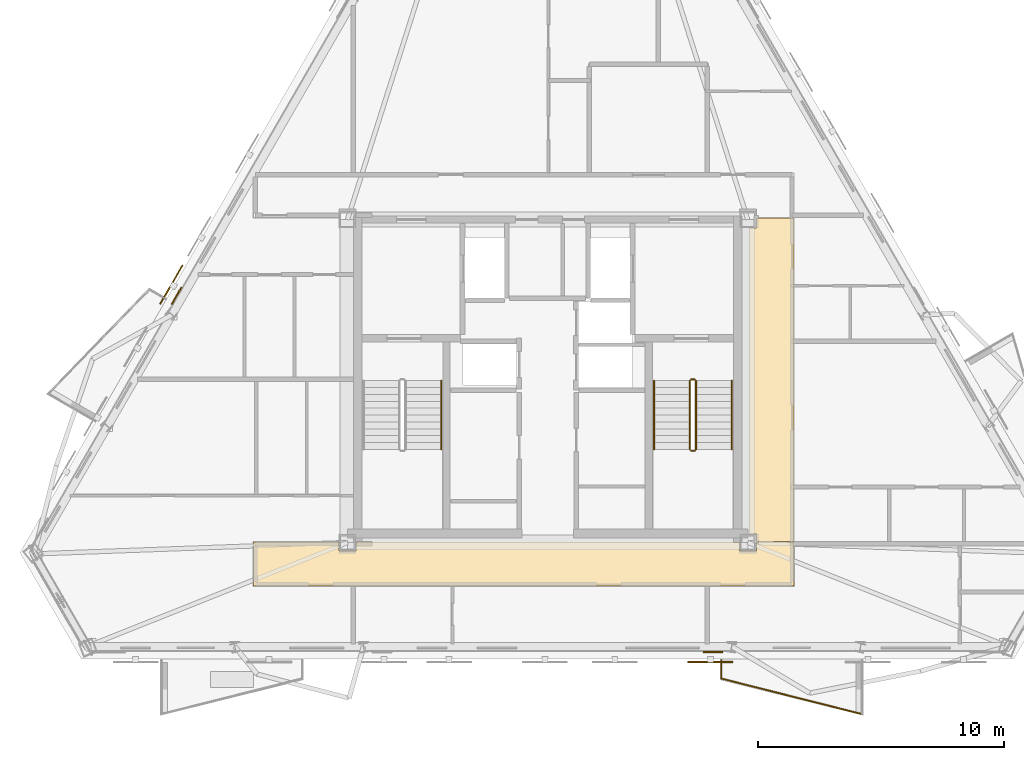
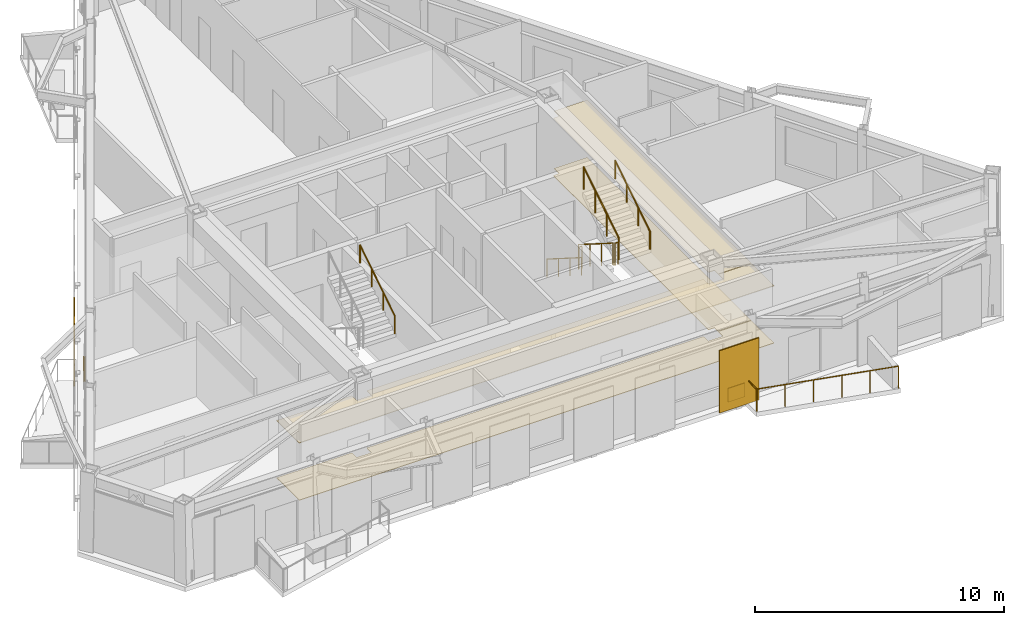
# One storey, part 8 of 9: 9 railings, 6 coverings, 2 shading devices.
"""IFC4 building model written with IfcOpenShell, lengths in metres."""

from ifc_helpers import new_model, si_unit, direction, frame, origin, origin_2d, place, context, subcontext, project, spatial, polyline, rectangle, circle, outline, extrude, material, layer, layer_set, type_object, element, save


model = new_model("IFC4")

# Units and contexts
model_context = context("Model", 3, precision=1e-05, world=origin(), true_north=direction((0.0, 1.0)))
body_context = subcontext(model_context, "Body", "Model", "MODEL_VIEW")
ifc_project = project(units=[si_unit("LENGTHUNIT", "METRE"), si_unit("AREAUNIT", "SQUARE_METRE"), si_unit("VOLUMEUNIT", "CUBIC_METRE"), si_unit("PLANEANGLEUNIT", "RADIAN"), si_unit("MASSUNIT", "GRAM", prefix="KILO")], contexts=[model_context])

# Site, building, storey
site_placement = place(None, origin())
site = spatial("IfcSite", under=ifc_project, at=site_placement, CompositionType="ELEMENT")
building_placement = place(site_placement, origin())
building = spatial("IfcBuilding", under=site, at=building_placement, Name="Oramaril Tower", CompositionType="ELEMENT")
storey_placement = place(building_placement, frame((0.0, 0.0, 281.10009765625)))
storey = spatial("IfcBuildingStorey", under=building, at=storey_placement, Name="L74", CompositionType="ELEMENT", Elevation=281.10009765625)

# Coverings
ifc_material_1 = material(Name="Mineral Fibre Acoustic Ceiling")
ifc_layer_1 = layer(ifc_material_1, 0.02001953125)
ifc_layer_set_1 = layer_set([ifc_layer_1], Name="CVT-CEIL")
covering_type_1 = type_object("IfcCoveringType", Name="CVT-CEIL", PredefinedType="CEILING", material=ifc_layer_set_1)
covering_1_placement = place(storey_placement, frame((0.0, 0.0, 2.81201171875)))
element("IfcCovering", 1, at=covering_1_placement, inside=storey, type_object=covering_type_1, Name="L74 Acoustic Suspended Ceiling 1", PredefinedType="CEILING", context=body_context, shape_type="SweptSolid", body=[
    extrude(outline(polyline([(29.0048828125, 10.655029296875), (29.695068359375, 10.655029296875), (29.695068359375, 11.030029296875), (45.304931640625, 11.030029296875), (45.304931640625, 10.655029296875), (45.9951171875, 10.655029296875), (45.9951171875, 11.030029296875), (47.530029296875, 11.030029296875), (47.530029296875, 9.219970703125), (25.52001953125, 9.219970703125), (25.52001953125, 11.030029296875), (29.0048828125, 11.030029296875), (29.0048828125, 10.655029296875)])), origin(), (0.0, 0.0, 1.0), 0.019775390625),
])
covering_2_placement = place(storey_placement, frame((0.0, 0.0, 2.81201171875)))
element("IfcCovering", 2, at=covering_2_placement, inside=storey, type_object=covering_type_1, Name="L74 Acoustic Suspended Ceiling 3", PredefinedType="CEILING", context=body_context, shape_type="SweptSolid", body=[
    extrude(outline(polyline([(47.530029296875, 11.050048828125), (45.9951171875, 11.050048828125), (45.9951171875, 11.344970703125), (45.719970703125, 11.344970703125), (45.719970703125, 23.804931640625), (45.9951171875, 23.804931640625), (45.9951171875, 24.219970703125), (47.530029296875, 24.219970703125), (47.530029296875, 11.050048828125)])), origin(), (0.0, 0.0, 1.0), 0.019775390625),
])
ifc_material_2 = material(Name="Warm Cream Limestone", Category="masonry")
ifc_layer_2 = layer(ifc_material_2, 0.050048828125)
ifc_layer_set_2 = layer_set([ifc_layer_2], Name="CVT-CLD")
covering_type_2 = type_object("IfcCoveringType", Name="CVT-CLD", PredefinedType="CLADDING", material=ifc_layer_set_2)
for number, where, z_axis, x_axis, name in (
    (3, (44.23828125, 6.543701171875, 0.0400390625), (0.0, 0.0, 1.0), (1.0, 0.0, 0.0), "L74 Warm Cream Limestone Spandrel Cladding"),
    (4, (22.390625, 21.04248046875, 0.0400390625), (0.0, 0.0, 1.0), (-0.5, -0.866025403784, 0.0), "L74 Warm Cream Limestone Spandrel Cladding"),
):
    element("IfcCovering", number, at=place(storey_placement, frame(where, z_axis=z_axis, x_axis=x_axis)), inside=storey, type_object=covering_type_2, Name=name, PredefinedType="CLADDING", context=body_context, shape_type="SweptSolid", body=[
        extrude(rectangle(XDim=0.800048828125, YDim=0.050048828125, at=origin_2d()), origin(), (0.0, 0.0, 1.0), 0.679931640625),
    ])
ifc_material_3 = material(Name="Honed Quartzite Stone Flooring", Category="masonry")
ifc_layer_3 = layer(ifc_material_3, 0.02490234375)
ifc_layer_set_3 = layer_set([ifc_layer_3], Name="CVT-FLR")
covering_type_3 = type_object("IfcCoveringType", Name="CVT-FLR", PredefinedType="FLOORING", material=ifc_layer_set_3)
covering_3_placement = place(storey_placement, origin())
element("IfcCovering", 5, at=covering_3_placement, inside=storey, type_object=covering_type_3, Name="L74 Honed Stone Floor Finish 1", PredefinedType="FLOORING", context=body_context, shape_type="SweptSolid", body=[
    extrude(outline(polyline([(29.0048828125, 10.655029296875), (29.695068359375, 10.655029296875), (29.695068359375, 11.030029296875), (45.304931640625, 11.030029296875), (45.304931640625, 10.655029296875), (45.9951171875, 10.655029296875), (45.9951171875, 11.030029296875), (47.530029296875, 11.030029296875), (47.530029296875, 9.219970703125), (25.52001953125, 9.219970703125), (25.52001953125, 11.030029296875), (29.0048828125, 11.030029296875), (29.0048828125, 10.655029296875)])), origin(), (0.0, 0.0, 1.0), 0.02490234375),
])
covering_4_placement = place(storey_placement, origin())
element("IfcCovering", 6, at=covering_4_placement, inside=storey, type_object=covering_type_3, Name="L74 Honed Stone Floor Finish 3", PredefinedType="FLOORING", context=body_context, shape_type="SweptSolid", body=[
    extrude(outline(polyline([(47.530029296875, 11.050048828125), (45.9951171875, 11.050048828125), (45.9951171875, 11.344970703125), (45.719970703125, 11.344970703125), (45.719970703125, 23.804931640625), (45.9951171875, 23.804931640625), (45.9951171875, 24.219970703125), (47.530029296875, 24.219970703125), (47.530029296875, 11.050048828125)])), origin(), (0.0, 0.0, 1.0), 0.02490234375),
])

# Railings
ifc_material_4 = material(Name="Stainless Steel 316L", Category="steel")
railing_type_1 = type_object("IfcRailingType", Name="RLT-GRD", PredefinedType="GUARDRAIL", material=ifc_material_4)
railing_1_placement = place(storey_placement, frame((50.29833984375, 4.01171875, 0.0)))
element("IfcRailing", 7, at=railing_1_placement, inside=storey, type_object=railing_type_1, Name="L74 Balcony Guardrail L74-BAL-S2.2", PredefinedType="GUARDRAIL", context=body_context, shape_type="SweptSolid", body=[
    extrude(circle(Radius=0.02392578125, at=origin_2d()), frame((0.0, 0.0, 1.076171875), z_axis=(-0.969443611257, 0.245314256807, 0.0), x_axis=(-0.245314256807, -0.969443611257, 0.0)), (0.0, 0.0, 1.0), 5.91064453125),
    extrude(circle(Radius=0.02099609375, at=origin_2d()), origin(), (0.0, 0.0, 1.0), 1.052001953125),
    extrude(circle(Radius=0.02099609375, at=origin_2d()), frame((-1.14599609375, 0.2900390625, 0.0)), (0.0, 0.0, 1.0), 1.052001953125),
    extrude(circle(Radius=0.02099609375, at=origin_2d()), frame((-2.2919921875, 0.580078125, 0.0)), (0.0, 0.0, 1.0), 1.052001953125),
    extrude(circle(Radius=0.02099609375, at=origin_2d()), frame((-3.43798828125, 0.869873046875, 0.0)), (0.0, 0.0, 1.0), 1.052001953125),
    extrude(circle(Radius=0.02099609375, at=origin_2d()), frame((-4.583984375, 1.159912109375, 0.0)), (0.0, 0.0, 1.0), 1.052001953125),
    extrude(circle(Radius=0.02099609375, at=origin_2d()), frame((-5.72998046875, 1.449951171875, 0.0)), (0.0, 0.0, 1.0), 1.052001953125),
])
railing_2_placement = place(storey_placement, frame((44.568359375, 5.461669921875, 0.0)))
element("IfcRailing", 8, at=railing_2_placement, inside=storey, type_object=railing_type_1, Name="L74 Balcony Guardrail L74-BAL-S2.3", PredefinedType="GUARDRAIL", context=body_context, shape_type="SweptSolid", body=[
    extrude(circle(Radius=0.02392578125, at=origin_2d()), frame((0.0, 0.0, 1.076171875), z_axis=(0.0, 1.0, 0.0), x_axis=(-1.0, 0.0, 0.0)), (0.0, 0.0, 1.0), 0.741943359375),
    extrude(circle(Radius=0.02099609375, at=origin_2d()), origin(), (0.0, 0.0, 1.0), 1.052001953125),
    extrude(circle(Radius=0.02099609375, at=origin_2d()), frame((0.0, 0.741943359375, 0.0)), (0.0, 0.0, 1.0), 1.052001953125),
])
railing_3_placement = place(storey_placement, frame((43.2900390625, 17.590087890625, 0.17724609375)))
element("IfcRailing", 9, at=railing_3_placement, inside=storey, type_object=railing_type_1, Name="L74 ST-2 stair guard 1", PredefinedType="GUARDRAIL", context=body_context, shape_type="SweptSolid", body=[
    extrude(circle(Radius=0.02392578125, at=origin_2d()), frame((0.0, 0.0, 1.076171875), z_axis=(0.0, -0.844908973607, 0.534910110503), x_axis=(1.0, 0.0, 0.0)), (0.0, 0.0, 1.0), 3.31396484375),
    extrude(circle(Radius=0.02099609375, at=origin_2d()), origin(), (0.0, 0.0, 1.0), 1.052001953125),
    extrude(circle(Radius=0.02099609375, at=origin_2d()), frame((0.0, -0.933349609375, 0.5908203125)), (0.0, 0.0, 1.0), 1.052001953125),
    extrude(circle(Radius=0.02099609375, at=origin_2d()), frame((0.0, -1.86669921875, 1.181884765625)), (0.0, 0.0, 1.0), 1.052001953125),
    extrude(circle(Radius=0.02099609375, at=origin_2d()), frame((0.0, -2.800048828125, 1.772705078125)), (0.0, 0.0, 1.0), 1.052001953125),
])
railing_4_placement = place(storey_placement, frame((43.340087890625, 14.739990234375, 1.949951171875)))
element("IfcRailing", 10, at=railing_4_placement, inside=storey, type_object=railing_type_1, Name="L74 ST-2 stair guard 2", PredefinedType="GUARDRAIL", context=body_context, shape_type="SweptSolid", body=[
    extrude(circle(Radius=0.02392578125, at=origin_2d()), frame((0.0, 0.0, 1.076171875), z_axis=(1.0, 0.0, 0.0), x_axis=(0.0, 1.0, 0.0)), (0.0, 0.0, 1.0), 0.14990234375),
    extrude(circle(Radius=0.02099609375, at=origin_2d()), origin(), (0.0, 0.0, 1.0), 1.052001953125),
    extrude(circle(Radius=0.02099609375, at=origin_2d()), frame((0.14990234375, 0.0, 0.0)), (0.0, 0.0, 1.0), 1.052001953125),
])
railing_5_placement = place(storey_placement, frame((43.5400390625, 14.7900390625, 2.127197265625)))
element("IfcRailing", 11, at=railing_5_placement, inside=storey, type_object=railing_type_1, Name="L74 ST-2 stair guard 3", PredefinedType="GUARDRAIL", context=body_context, shape_type="SweptSolid", body=[
    extrude(circle(Radius=0.02392578125, at=origin_2d()), frame((0.0, 0.0, 1.076171875), z_axis=(0.0, 0.844908973607, 0.534910110503), x_axis=(-1.0, 0.0, 0.0)), (0.0, 0.0, 1.0), 3.31396484375),
    extrude(circle(Radius=0.02099609375, at=origin_2d()), origin(), (0.0, 0.0, 1.0), 1.052001953125),
    extrude(circle(Radius=0.02099609375, at=origin_2d()), frame((0.0, 0.933349609375, 0.5908203125)), (0.0, 0.0, 1.0), 1.052001953125),
    extrude(circle(Radius=0.02099609375, at=origin_2d()), frame((0.0, 1.86669921875, 1.181884765625)), (0.0, 0.0, 1.0), 1.052001953125),
    extrude(circle(Radius=0.02099609375, at=origin_2d()), frame((0.0, 2.800048828125, 1.772705078125)), (0.0, 0.0, 1.0), 1.052001953125),
])
railing_6_placement = place(storey_placement, frame((43.340087890625, 17.639892578125, 0.0)))
element("IfcRailing", 12, at=railing_6_placement, inside=storey, type_object=railing_type_1, Name="L74 ST-2 stair guard 4", PredefinedType="GUARDRAIL", context=body_context, shape_type="SweptSolid", body=[
    extrude(circle(Radius=0.02392578125, at=origin_2d()), frame((0.0, 0.0, 1.076171875), z_axis=(1.0, 0.0, 0.0), x_axis=(0.0, 1.0, 0.0)), (0.0, 0.0, 1.0), 0.14990234375),
    extrude(circle(Radius=0.02099609375, at=origin_2d()), origin(), (0.0, 0.0, 1.0), 1.052001953125),
    extrude(circle(Radius=0.02099609375, at=origin_2d()), frame((0.14990234375, 0.0, 0.0)), (0.0, 0.0, 1.0), 1.052001953125),
])
ifc_material_5 = material(Name="Stainless Steel 316L", Category="steel")
railing_type_2 = type_object("IfcRailingType", Name="RLT-HND", PredefinedType="HANDRAIL", material=ifc_material_5)
railing_7_placement = place(storey_placement, frame((33.169921875, 14.7900390625, 2.127197265625)))
element("IfcRailing", 13, at=railing_7_placement, inside=storey, type_object=railing_type_2, Name="L74 ST-1 stair handrail 2", PredefinedType="HANDRAIL", context=body_context, shape_type="SweptSolid", body=[
    extrude(circle(Radius=0.02392578125, at=origin_2d()), frame((0.0, 0.0, 0.8759765625), z_axis=(0.0, 0.844908973607, 0.534910110503), x_axis=(-1.0, 0.0, 0.0)), (0.0, 0.0, 1.0), 3.31396484375),
    extrude(circle(Radius=0.02099609375, at=origin_2d()), origin(), (0.0, 0.0, 1.0), 0.851806640625),
    extrude(circle(Radius=0.02099609375, at=origin_2d()), frame((0.0, 0.933349609375, 0.5908203125)), (0.0, 0.0, 1.0), 0.851806640625),
    extrude(circle(Radius=0.02099609375, at=origin_2d()), frame((0.0, 1.86669921875, 1.181884765625)), (0.0, 0.0, 1.0), 0.851806640625),
    extrude(circle(Radius=0.02099609375, at=origin_2d()), frame((0.0, 2.800048828125, 1.772705078125)), (0.0, 0.0, 1.0), 0.851806640625),
])
railing_8_placement = place(storey_placement, frame((41.830078125, 17.590087890625, 0.17724609375)))
element("IfcRailing", 14, at=railing_8_placement, inside=storey, type_object=railing_type_2, Name="L74 ST-2 stair handrail 1", PredefinedType="HANDRAIL", context=body_context, shape_type="SweptSolid", body=[
    extrude(circle(Radius=0.02392578125, at=origin_2d()), frame((0.0, 0.0, 0.8759765625), z_axis=(0.0, -0.844908973607, 0.534910110503), x_axis=(1.0, 0.0, 0.0)), (0.0, 0.0, 1.0), 3.31396484375),
    extrude(circle(Radius=0.02099609375, at=origin_2d()), origin(), (0.0, 0.0, 1.0), 0.851806640625),
    extrude(circle(Radius=0.02099609375, at=origin_2d()), frame((0.0, -0.933349609375, 0.5908203125)), (0.0, 0.0, 1.0), 0.851806640625),
    extrude(circle(Radius=0.02099609375, at=origin_2d()), frame((0.0, -1.86669921875, 1.181884765625)), (0.0, 0.0, 1.0), 0.851806640625),
    extrude(circle(Radius=0.02099609375, at=origin_2d()), frame((0.0, -2.800048828125, 1.772705078125)), (0.0, 0.0, 1.0), 0.851806640625),
])
railing_9_placement = place(storey_placement, frame((45.0, 14.7900390625, 2.127197265625)))
element("IfcRailing", 15, at=railing_9_placement, inside=storey, type_object=railing_type_2, Name="L74 ST-2 stair handrail 2", PredefinedType="HANDRAIL", context=body_context, shape_type="SweptSolid", body=[
    extrude(circle(Radius=0.02392578125, at=origin_2d()), frame((0.0, 0.0, 0.8759765625), z_axis=(0.0, 0.844908973607, 0.534910110503), x_axis=(-1.0, 0.0, 0.0)), (0.0, 0.0, 1.0), 3.31396484375),
    extrude(circle(Radius=0.02099609375, at=origin_2d()), origin(), (0.0, 0.0, 1.0), 0.851806640625),
    extrude(circle(Radius=0.02099609375, at=origin_2d()), frame((0.0, 0.933349609375, 0.5908203125)), (0.0, 0.0, 1.0), 0.851806640625),
    extrude(circle(Radius=0.02099609375, at=origin_2d()), frame((0.0, 1.86669921875, 1.181884765625)), (0.0, 0.0, 1.0), 0.851806640625),
    extrude(circle(Radius=0.02099609375, at=origin_2d()), frame((0.0, 2.800048828125, 1.772705078125)), (0.0, 0.0, 1.0), 0.851806640625),
])

# Shading devices
for number, where, z_axis, x_axis, name in (
    (16, (44.130615234375, 6.131591796875, -0.020263671875), (0.0, 0.0, 1.0), (1.0, 0.0, 0.0), "L74 Perforated Ceramic Solar Screen"),
    (17, (22.18017578125, 21.501953125, -0.020263671875), (0.0, 0.0, 1.0), (-0.5, -0.866025403784, 0.0), "L74 Perforated Ceramic Solar Screen"),
):
    element("IfcShadingDevice", number, at=place(storey_placement, frame(where, z_axis=z_axis, x_axis=x_axis)), inside=storey, Name=name, ObjectType="SCREEN", PredefinedType="USERDEFINED", context=body_context, shape_type="SweptSolid", body=[
        extrude(rectangle(XDim=1.8330078125, YDim=0.050048828125, at=origin_2d()), origin(), (0.0, 0.0, 1.0), 3.05810546875),
    ])

save(model, "model.ifc")
